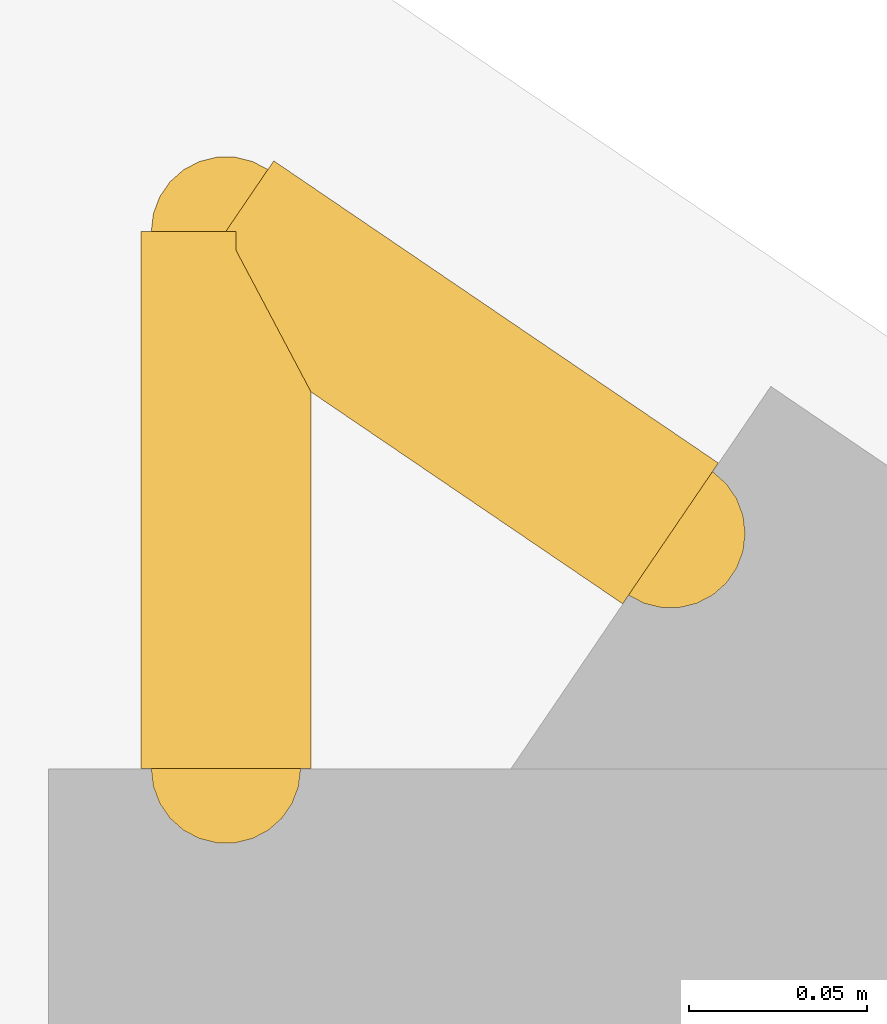
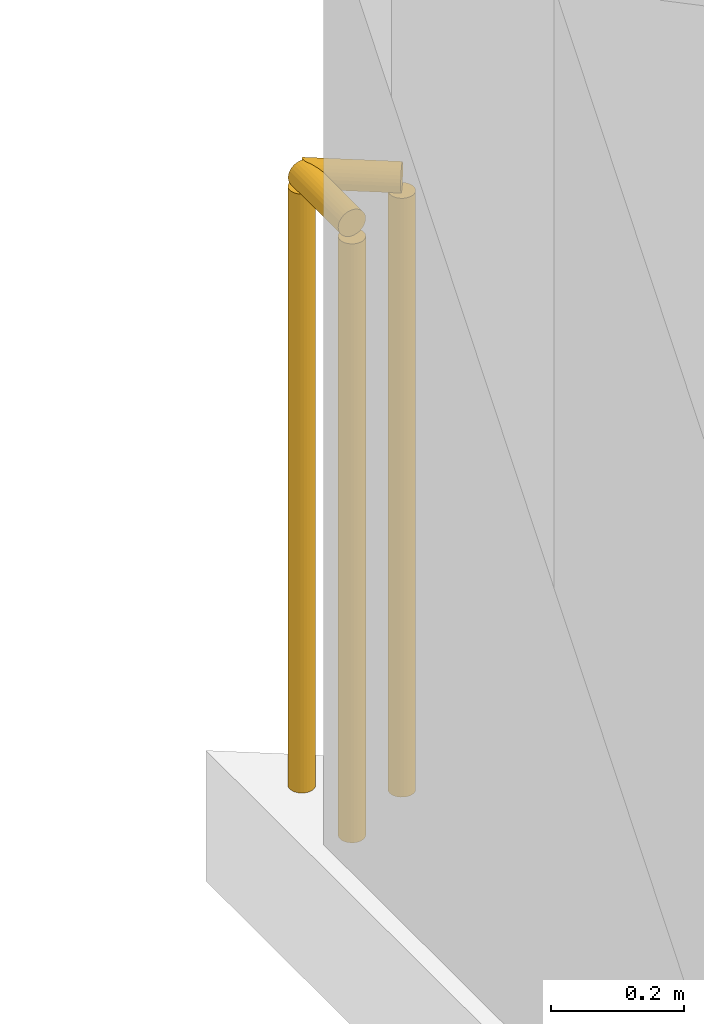
# One storey, part 19 of 20: 2 railings.
"""IFC4 building model written with IfcOpenShell, lengths in metres."""

from ifc_helpers import new_model, si_unit, direction, frame, origin, origin_2d, place, context, subcontext, project, spatial, circle, extrude, material, type_object, element, save


model = new_model("IFC4")

# Units and contexts
model_context = context("Model", 3, precision=1e-05, world=origin(), true_north=direction((0.0, 1.0)))
body_context = subcontext(model_context, "Body", "Model", "MODEL_VIEW")
ifc_project = project(units=[si_unit("LENGTHUNIT", "METRE"), si_unit("AREAUNIT", "SQUARE_METRE"), si_unit("VOLUMEUNIT", "CUBIC_METRE"), si_unit("PLANEANGLEUNIT", "RADIAN"), si_unit("MASSUNIT", "GRAM", prefix="KILO")], contexts=[model_context])

# Site, building, storey
site_placement = place(None, origin())
site = spatial("IfcSite", under=ifc_project, at=site_placement, CompositionType="ELEMENT")
building_placement = place(site_placement, origin())
building = spatial("IfcBuilding", under=site, at=building_placement, Name="Varnakote Quay Hospital", CompositionType="ELEMENT")
storey_placement = place(building_placement, frame((0.0, 0.0, 58.050048828125)))
storey = spatial("IfcBuildingStorey", under=building, at=storey_placement, Name="L14", CompositionType="ELEMENT", Elevation=58.050048828125)

# Railings
ifc_material = material(Name="Anodised aluminium 6063-T6 Bronze", Category="aluminium")
railing_type = type_object("IfcRailingType", Name="RLG-EXT-GUARD-1150", PredefinedType="GUARDRAIL", material=ifc_material)
railing_1_placement = place(storey_placement, frame((2.679931640625, 43.497802734375, 0.0)))
element("IfcRailing", 1, at=railing_1_placement, inside=storey, type_object=railing_type, Name="L14 Slab Edge Perimeter Safety Guard", PredefinedType="GUARDRAIL", context=body_context, shape_type="SweptSolid", body=[
    extrude(circle(Radius=0.02392578125, at=origin_2d()), frame((0.0, 0.0, 1.1259765625), z_axis=(0.0, 1.0, 0.0), x_axis=(-1.0, 0.0, 0.0)), (0.0, 0.0, 1.0), 0.151123046875),
    extrude(circle(Radius=0.02099609375, at=origin_2d()), origin(), (0.0, 0.0, 1.0), 1.101806640625),
    extrude(circle(Radius=0.02099609375, at=origin_2d()), frame((0.0, 0.151123046875, 0.0)), (0.0, 0.0, 1.0), 1.101806640625),
])
railing_2_placement = place(storey_placement, frame((2.679931640625, 43.64892578125, 0.0)))
element("IfcRailing", 2, at=railing_2_placement, inside=storey, type_object=railing_type, Name="L14 Slab Edge Perimeter Safety Guard", PredefinedType="GUARDRAIL", context=body_context, shape_type="SweptSolid", body=[
    extrude(circle(Radius=0.02392578125, at=origin_2d()), frame((0.0, 0.0, 1.1259765625), z_axis=(0.827046660574, -0.562133277109, 0.0), x_axis=(0.562133277109, 0.827046660574, 0.0)), (0.0, 0.0, 1.0), 0.151123046875),
    extrude(circle(Radius=0.02099609375, at=origin_2d()), origin(), (0.0, 0.0, 1.0), 1.101806640625),
    extrude(circle(Radius=0.02099609375, at=origin_2d()), frame((0.125, -0.0849609375, 0.0)), (0.0, 0.0, 1.0), 1.101806640625),
])

save(model, "model.ifc")
